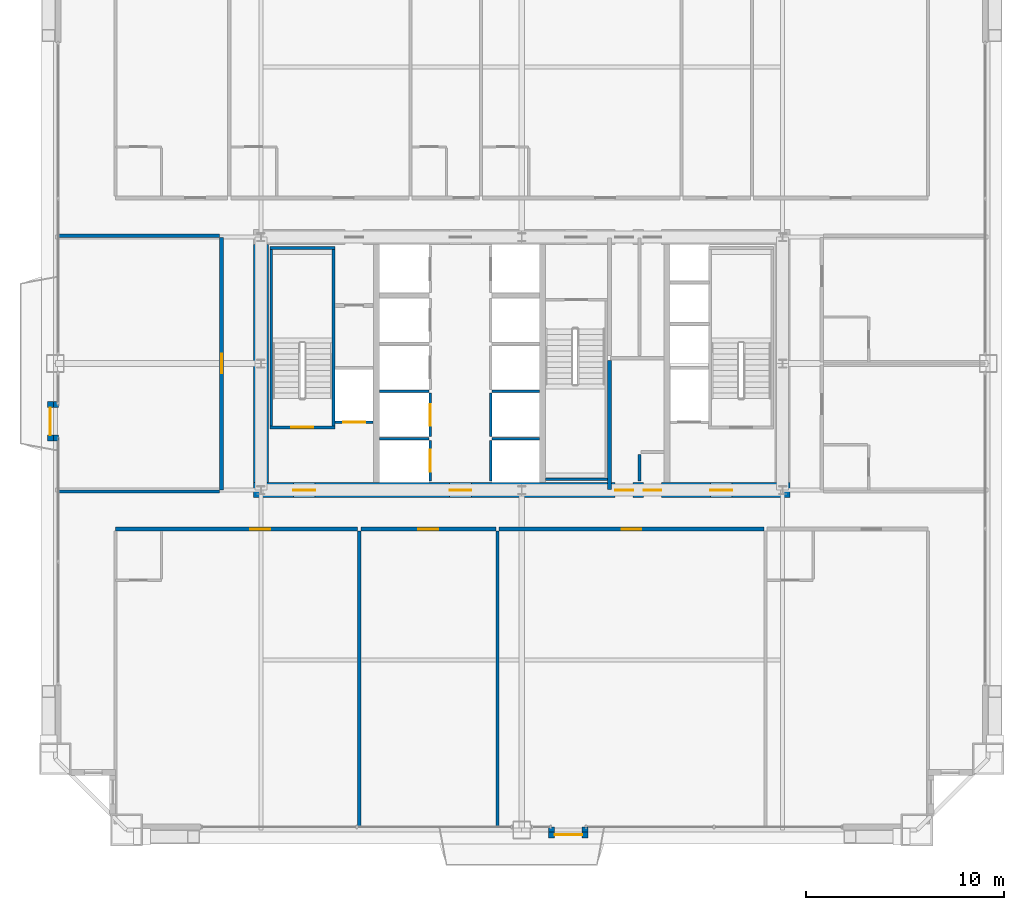
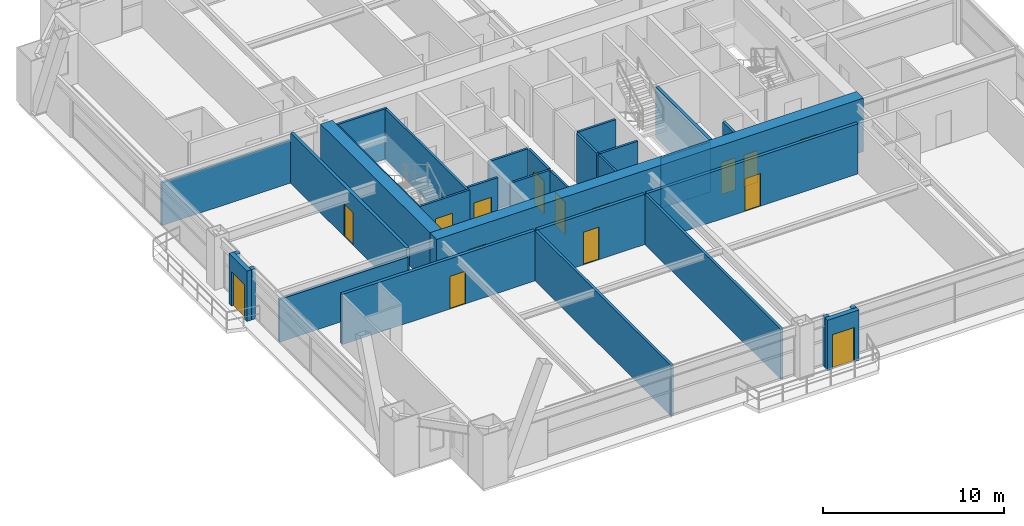
# One storey, part 37 of 41: 32 walls, 15 doors, 15 openings.
"""IFC4 building model written with IfcOpenShell, lengths in metres."""

from ifc_helpers import new_model, si_unit, direction, frame, frame_2d, origin, place, context, subcontext, project, spatial, rectangle, extrude, source, transform, mapped, material, layer, layer_set, type_object, element, fill, save


model = new_model("IFC4")

# Units and contexts
model_context = context("Model", 3, precision=1e-05, world=origin(), true_north=direction((0.0, 1.0)))
body_context = subcontext(model_context, "Body", "Model", "MODEL_VIEW")
ifc_project = project(units=[si_unit("LENGTHUNIT", "METRE"), si_unit("AREAUNIT", "SQUARE_METRE"), si_unit("VOLUMEUNIT", "CUBIC_METRE"), si_unit("PLANEANGLEUNIT", "RADIAN"), si_unit("MASSUNIT", "GRAM", prefix="KILO"), si_unit("THERMODYNAMICTEMPERATUREUNIT", "KELVIN"), si_unit("POWERUNIT", "WATT")], contexts=[model_context])

# Site, building, storey
site_placement = place(None, origin())
site = spatial("IfcSite", under=ifc_project, at=site_placement, CompositionType="ELEMENT")
building_placement = place(site_placement, origin())
building = spatial("IfcBuilding", under=site, at=building_placement, Name="Yuzanri Waterfront Tower", CompositionType="ELEMENT")
storey_placement = place(building_placement, frame((0.0, 0.0, 115.39990234375)))
storey = spatial("IfcBuildingStorey", under=building, at=storey_placement, Name="L30", CompositionType="ELEMENT", Elevation=115.39990234375)

# Wall, opening, door
ifc_material_1 = material(Name="Honed Chongqing Dark Basalt Stone", Category="masonry")
ifc_layer_1 = layer(ifc_material_1, 0.300048828125)
ifc_layer_set_1 = layer_set([ifc_layer_1], Name="Honed Chongqing Dark Basalt Stone")
wall_type_1 = type_object("IfcWallType", Name="Bronze Rainscreen Insulated Spandrel Portal Wall 300", PredefinedType="SOLIDWALL", material=ifc_layer_set_1)
wall_1_placement = place(storey_placement, frame((38.35791015625, 1.949951171875, 0.0), z_axis=(0.0, 0.0, 1.0), x_axis=(1.0, 0.0, 0.0)))
wall_1 = element("IfcWall", 1, at=wall_1_placement, inside=storey, type_object=wall_type_1, Name="L30 S Terrace Door Portal Wall", PredefinedType="SOLIDWALL", context=body_context, shape_type="SweptSolid", body=[
    extrude(rectangle(XDim=2.0, YDim=0.300048828125, at=frame_2d((1.0, 0.0))), origin(), (0.0, 0.0, 1.0), 3.380126953125),
])
opening_1_placement = place(wall_1_placement, frame((0.300048828125, 0.0, 0.0)))
opening_1 = element("IfcOpeningElement", 2, at=opening_1_placement, cuts=wall_1, Name="Opening TD-1400", PredefinedType="OPENING", context=body_context, shape_type="SweptSolid", body=[
    extrude(rectangle(XDim=1.39990234375, YDim=2.300048828125, at=frame_2d((0.699951171875, 1.14990234375))), frame((0.0, 0.1650390625, 0.0), z_axis=(0.0, -1.0, 0.0), x_axis=(1.0, 0.0, 0.0)), (0.0, 0.0, 1.0), 0.329833984375),
])
ifc_material_2 = material(Name="Anodized Architectural Bronze", Category="metal")
door_type_1 = type_object("IfcDoorType", Name="Anodized Bronze Balcony and Terrace Glazed Double Door 1400x2300", OperationType="NOTDEFINED", PredefinedType="DOOR", material=ifc_material_2)
shared_shape_1 = source(origin(), body_context, "Body", "SweptSolid", [
    extrude(rectangle(XDim=1.39990234375, YDim=2.300048828125, at=frame_2d((0.699951171875, 1.14990234375))), frame((0.0, 0.02490234375, 0.0), z_axis=(0.0, -1.0, 0.0), x_axis=(1.0, 0.0, 0.0)), (0.0, 0.0, 1.0), 0.050048828125),
])
door_1_placement = place(opening_1_placement, origin())
door_1 = element("IfcDoor", 3, at=door_1_placement, inside=storey, type_object=door_type_1, Name="L30 S Terrace Glazed Double Door", OperationType="DOUBLE_DOOR_SINGLE_SWING", OverallHeight=2.300048828125, OverallWidth=1.39990234375, PredefinedType="DOOR", context=body_context, shape_type="MappedRepresentation", body=[
    mapped(shared_shape_1, transform((0.0, 0.0, 0.0), scale=1.0)),
])
fill(opening_1, door_1)

wall_2_placement = place(storey_placement, frame((13.14990234375, 21.875, 0.0), z_axis=(0.0, 0.0, 1.0), x_axis=(0.0, 1.0, 0.0)))
wall_2 = element("IfcWall", 4, at=wall_2_placement, inside=storey, type_object=wall_type_1, Name="L30 W Terrace Door Portal Wall", PredefinedType="SOLIDWALL", context=body_context, shape_type="SweptSolid", body=[
    extrude(rectangle(XDim=2.0, YDim=0.300048828125, at=frame_2d((1.0, 0.0))), origin(), (0.0, 0.0, 1.0), 3.380126953125),
])
opening_2_placement = place(wall_2_placement, frame((0.300048828125, 0.0, 0.0)))
opening_2 = element("IfcOpeningElement", 5, at=opening_2_placement, cuts=wall_2, Name="Opening TD-1400", PredefinedType="OPENING", context=body_context, shape_type="SweptSolid", body=[
    extrude(rectangle(XDim=1.39990234375, YDim=2.300048828125, at=frame_2d((0.699951171875, 1.14990234375))), frame((0.0, 0.1650390625, 0.0), z_axis=(0.0, -1.0, 0.0), x_axis=(1.0, 0.0, 0.0)), (0.0, 0.0, 1.0), 0.329833984375),
])
door_2_placement = place(opening_2_placement, origin())
door_2 = element("IfcDoor", 6, at=door_2_placement, inside=storey, type_object=door_type_1, Name="L30 W Terrace Glazed Double Door", OperationType="DOUBLE_DOOR_SINGLE_SWING", OverallHeight=2.300048828125, OverallWidth=1.39990234375, PredefinedType="DOOR", context=body_context, shape_type="MappedRepresentation", body=[
    mapped(shared_shape_1, transform((0.0, 0.0, 0.0), scale=1.0)),
])
fill(opening_2, door_2)

# Wall, openings, doors
ifc_material_3 = material(Name="Concrete C55", Category="concrete")
ifc_layer_2 = layer(ifc_material_3, 0.75)
ifc_layer_set_2 = layer_set([ifc_layer_2], Name="Concrete C55")
wall_type_2 = type_object("IfcWallType", Name="Concrete C55 Low-Mid Zone Core Shear Wall 750", PredefinedType="SHEAR", material=ifc_layer_set_2)
wall_3_placement = place(storey_placement, frame((23.425048828125, 19.39990234375, 0.0), z_axis=(0.0, 0.0, 1.0), x_axis=(1.0, 0.0, 0.0)))
wall_3 = element("IfcWall", 7, at=wall_3_placement, inside=storey, type_object=wall_type_2, Name="L30 Core South Shear Wall", PredefinedType="SHEAR", context=body_context, shape_type="SweptSolid", body=[
    extrude(rectangle(XDim=27.14990234375, YDim=0.75, at=frame_2d((13.574951171875, 0.0))), origin(), (0.0, 0.0, 1.0), 3.60009765625),
])
opening_3_placement = place(wall_3_placement, frame((2.02490234375, 0.0, 0.0)))
opening_3 = element("IfcOpeningElement", 8, at=opening_3_placement, cuts=wall_3, Name="Opening FD-1100", PredefinedType="OPENING", context=body_context, shape_type="SweptSolid", body=[
    extrude(rectangle(XDim=1.10009765625, YDim=2.199951171875, at=frame_2d((0.550048828125, 1.10009765625))), frame((0.0, 0.389892578125, 0.0), z_axis=(0.0, -1.0, 0.0), x_axis=(1.0, 0.0, 0.0)), (0.0, 0.0, 1.0), 0.77978515625),
])
opening_4_placement = place(wall_3_placement, frame((9.925048828125, 0.0, 0.0)))
opening_4 = element("IfcOpeningElement", 9, at=opening_4_placement, cuts=wall_3, Name="Opening FD-1100", PredefinedType="OPENING", context=body_context, shape_type="SweptSolid", body=[
    extrude(rectangle(XDim=1.10009765625, YDim=2.199951171875, at=frame_2d((0.550048828125, 1.10009765625))), frame((0.0, 0.389892578125, 0.0), z_axis=(0.0, -1.0, 0.0), x_axis=(1.0, 0.0, 0.0)), (0.0, 0.0, 1.0), 0.77978515625),
])
opening_5_placement = place(wall_3_placement, frame((23.125, 0.0, 0.0)))
opening_5 = element("IfcOpeningElement", 10, at=opening_5_placement, cuts=wall_3, Name="Opening FD-1100", PredefinedType="OPENING", context=body_context, shape_type="SweptSolid", body=[
    extrude(rectangle(XDim=1.10009765625, YDim=2.199951171875, at=frame_2d((0.550048828125, 1.10009765625))), frame((0.0, 0.389892578125, 0.0), z_axis=(0.0, -1.0, 0.0), x_axis=(1.0, 0.0, 0.0)), (0.0, 0.0, 1.0), 0.77978515625),
])
opening_6_placement = place(wall_3_placement, frame((19.7451171875, 0.0, 0.0)))
opening_6 = element("IfcOpeningElement", 11, at=opening_6_placement, cuts=wall_3, Name="Opening FD-0900", PredefinedType="OPENING", context=body_context, shape_type="SweptSolid", body=[
    extrude(rectangle(XDim=0.89990234375, YDim=2.14990234375, at=frame_2d((0.449951171875, 1.074951171875))), frame((0.0, 0.389892578125, 0.0), z_axis=(0.0, -1.0, 0.0), x_axis=(1.0, 0.0, 0.0)), (0.0, 0.0, 1.0), 0.77978515625),
])
opening_7_placement = place(wall_3_placement, frame((18.304931640625, 0.0, 0.0)))
opening_7 = element("IfcOpeningElement", 12, at=opening_7_placement, cuts=wall_3, Name="Opening FD-0900", PredefinedType="OPENING", context=body_context, shape_type="SweptSolid", body=[
    extrude(rectangle(XDim=0.89990234375, YDim=2.14990234375, at=frame_2d((0.449951171875, 1.074951171875))), frame((0.0, 0.389892578125, 0.0), z_axis=(0.0, -1.0, 0.0), x_axis=(1.0, 0.0, 0.0)), (0.0, 0.0, 1.0), 0.77978515625),
])
ifc_material_4 = material(Name="Painted Galvanized Fire Steel", Category="steel")
door_type_2 = type_object("IfcDoorType", Name="Smoke-Proof Stair and Lobby Fire Door 1100x2200", OperationType="NOTDEFINED", PredefinedType="DOOR", material=ifc_material_4)
shared_shape_2 = source(origin(), body_context, "Body", "SweptSolid", [
    extrude(rectangle(XDim=1.10009765625, YDim=2.199951171875, at=frame_2d((0.550048828125, 1.10009765625))), frame((0.0, 0.02490234375, 0.0), z_axis=(0.0, -1.0, 0.0), x_axis=(1.0, 0.0, 0.0)), (0.0, 0.0, 1.0), 0.050048828125),
])
door_3_placement = place(opening_3_placement, origin())
door_3 = element("IfcDoor", 13, at=door_3_placement, inside=storey, type_object=door_type_2, Name="L30 West Firefighting Lobby Door", OperationType="SINGLE_SWING_RIGHT", OverallHeight=2.199951171875, OverallWidth=1.10009765625, PredefinedType="DOOR", context=body_context, shape_type="MappedRepresentation", body=[
    mapped(shared_shape_2, transform((0.0, 0.0, 0.0), scale=1.0)),
])
fill(opening_3, door_3)
door_4_placement = place(opening_4_placement, origin())
door_4 = element("IfcDoor", 14, at=door_4_placement, inside=storey, type_object=door_type_2, Name="L30 Central Lift Lobby South Door", OperationType="SINGLE_SWING_LEFT", OverallHeight=2.199951171875, OverallWidth=1.10009765625, PredefinedType="DOOR", context=body_context, shape_type="MappedRepresentation", body=[
    mapped(shared_shape_2, transform((0.0, 0.0, 0.0), scale=1.0)),
])
fill(opening_4, door_4)
door_5_placement = place(opening_5_placement, origin())
door_5 = element("IfcDoor", 15, at=door_5_placement, inside=storey, type_object=door_type_2, Name="L30 East Firefighting Lobby Door", OperationType="SINGLE_SWING_RIGHT", OverallHeight=2.199951171875, OverallWidth=1.10009765625, PredefinedType="DOOR", context=body_context, shape_type="MappedRepresentation", body=[
    mapped(shared_shape_2, transform((0.0, 0.0, 0.0), scale=1.0)),
])
fill(opening_5, door_5)
ifc_material_5 = material(Name="Painted Galvanized Fire Steel", Category="steel")
door_type_3 = type_object("IfcDoorType", Name="Riser and Service Room Fire Door 900x2150", OperationType="NOTDEFINED", PredefinedType="DOOR", material=ifc_material_5)
shared_shape_3 = source(origin(), body_context, "Body", "SweptSolid", [
    extrude(rectangle(XDim=0.89990234375, YDim=2.14990234375, at=frame_2d((0.449951171875, 1.074951171875))), frame((0.0, 0.02490234375, 0.0), z_axis=(0.0, -1.0, 0.0), x_axis=(1.0, 0.0, 0.0)), (0.0, 0.0, 1.0), 0.050048828125),
])
door_6_placement = place(opening_6_placement, origin())
door_6 = element("IfcDoor", 16, at=door_6_placement, inside=storey, type_object=door_type_3, Name="L30 East Wet Riser Door", OperationType="SINGLE_SWING_LEFT", OverallHeight=2.14990234375, OverallWidth=0.89990234375, PredefinedType="DOOR", context=body_context, shape_type="MappedRepresentation", body=[
    mapped(shared_shape_3, transform((0.0, 0.0, 0.0), scale=1.0)),
])
fill(opening_6, door_6)
door_7_placement = place(opening_7_placement, origin())
door_7 = element("IfcDoor", 17, at=door_7_placement, inside=storey, type_object=door_type_3, Name="L30 Housekeeping Room", OperationType="SINGLE_SWING_RIGHT", OverallHeight=2.14990234375, OverallWidth=0.89990234375, PredefinedType="DOOR", context=body_context, shape_type="MappedRepresentation", body=[
    mapped(shared_shape_3, transform((0.0, 0.0, 0.0), scale=1.0)),
])
fill(opening_7, door_7)

# Wall, opening, door
ifc_material_6 = material(Name="Concrete C40", Category="concrete")
ifc_layer_3 = layer(ifc_material_6, 0.139892578125)
ifc_layer_set_3 = layer_set([ifc_layer_3], Name="Concrete C40")
wall_type_3 = type_object("IfcWallType", Name="Core Stair Liner and Hoistway Shaft Wall 140", PredefinedType="SOLIDWALL", material=ifc_layer_set_3)
wall_4_placement = place(storey_placement, frame((27.56005859375, 22.830078125, 0.0), z_axis=(0.0, 0.0, 1.0), x_axis=(1.0, 0.0, 0.0)))
wall_4 = element("IfcWall", 18, at=wall_4_placement, inside=storey, type_object=wall_type_3, Name="L30 Lift FL-01 Front Shaft Wall", PredefinedType="SOLIDWALL", context=body_context, shape_type="SweptSolid", body=[
    extrude(rectangle(XDim=1.919921875, YDim=0.139892578125, at=frame_2d((0.9599609375, 0.0))), origin(), (0.0, 0.0, 1.0), 3.380126953125),
])
opening_8_placement = place(wall_4_placement, frame((0.409912109375, 0.0, 0.0)))
opening_8 = element("IfcOpeningElement", 19, at=opening_8_placement, cuts=wall_4, Name="Opening LD-FL-01", PredefinedType="OPENING", context=body_context, shape_type="SweptSolid", body=[
    extrude(rectangle(XDim=1.10009765625, YDim=2.199951171875, at=frame_2d((0.550048828125, 1.10009765625))), frame((0.0, 0.0849609375, 0.0), z_axis=(0.0, -1.0, 0.0), x_axis=(1.0, 0.0, 0.0)), (0.0, 0.0, 1.0), 0.169677734375),
])
ifc_material_7 = material(Name="Brushed Bronze and Stainless Steel Cab", Category="steel")
door_type_4 = type_object("IfcDoorType", Name="Center-Parting Bronze Lift Landing Sliding Door 1100x2200", OperationType="NOTDEFINED", PredefinedType="DOOR", material=ifc_material_7)
shared_shape_4 = source(origin(), body_context, "Body", "SweptSolid", [
    extrude(rectangle(XDim=1.10009765625, YDim=2.199951171875, at=frame_2d((0.550048828125, 1.10009765625))), frame((0.0, 0.02490234375, 0.0), z_axis=(0.0, -1.0, 0.0), x_axis=(1.0, 0.0, 0.0)), (0.0, 0.0, 1.0), 0.050048828125),
])
door_8_placement = place(opening_8_placement, origin())
door_8 = element("IfcDoor", 20, at=door_8_placement, inside=storey, type_object=door_type_4, Name="L30 FL-01 Lift Landing Sliding Door", OperationType="SLIDING_TO_LEFT", OverallHeight=2.199951171875, OverallWidth=1.10009765625, PredefinedType="DOOR", context=body_context, shape_type="MappedRepresentation", body=[
    mapped(shared_shape_4, transform((0.0, 0.0, 0.0), scale=1.0)),
])
fill(opening_8, door_8)

wall_5_placement = place(storey_placement, frame((32.3701171875, 19.860107421875, 0.0), z_axis=(0.0, 0.0, 1.0), x_axis=(0.0, 1.0, 0.0)))
wall_5 = element("IfcWall", 21, at=wall_5_placement, inside=storey, type_object=wall_type_3, Name="L30 Lift PL-01 Front Shaft Wall", PredefinedType="SOLIDWALL", context=body_context, shape_type="SweptSolid", body=[
    extrude(rectangle(XDim=2.039794921875, YDim=0.139892578125, at=frame_2d((1.02001953125, 0.0))), origin(), (0.0, 0.0, 1.0), 3.380126953125),
])
opening_9_placement = place(wall_5_placement, frame((0.469970703125, 0.0, 0.0)))
opening_9 = element("IfcOpeningElement", 22, at=opening_9_placement, cuts=wall_5, Name="Opening LD-PL-01", PredefinedType="OPENING", context=body_context, shape_type="SweptSolid", body=[
    extrude(rectangle(XDim=1.10009765625, YDim=2.199951171875, at=frame_2d((0.550048828125, 1.10009765625))), frame((0.0, 0.0849609375, 0.0), z_axis=(0.0, -1.0, 0.0), x_axis=(1.0, 0.0, 0.0)), (0.0, 0.0, 1.0), 0.169677734375),
])
door_9_placement = place(opening_9_placement, origin())
door_9 = element("IfcDoor", 23, at=door_9_placement, inside=storey, type_object=door_type_4, Name="L30 PL-01 Lift Landing Sliding Door", OperationType="SLIDING_TO_LEFT", OverallHeight=2.199951171875, OverallWidth=1.10009765625, PredefinedType="DOOR", context=body_context, shape_type="MappedRepresentation", body=[
    mapped(shared_shape_4, transform((0.0, 0.0, 0.0), scale=1.0)),
])
fill(opening_9, door_9)

wall_6_placement = place(storey_placement, frame((32.3701171875, 22.10009765625, 0.0), z_axis=(0.0, 0.0, 1.0), x_axis=(0.0, 1.0, 0.0)))
wall_6 = element("IfcWall", 24, at=wall_6_placement, inside=storey, type_object=wall_type_3, Name="L30 Lift PL-02 Front Shaft Wall", PredefinedType="SOLIDWALL", context=body_context, shape_type="SweptSolid", body=[
    extrude(rectangle(XDim=2.199951171875, YDim=0.139892578125, at=frame_2d((1.10009765625, 0.0))), origin(), (0.0, 0.0, 1.0), 3.380126953125),
])
opening_10_placement = place(wall_6_placement, frame((0.550048828125, 0.0, 0.0)))
opening_10 = element("IfcOpeningElement", 25, at=opening_10_placement, cuts=wall_6, Name="Opening LD-PL-02", PredefinedType="OPENING", context=body_context, shape_type="SweptSolid", body=[
    extrude(rectangle(XDim=1.10009765625, YDim=2.199951171875, at=frame_2d((0.550048828125, 1.10009765625))), frame((0.0, 0.0849609375, 0.0), z_axis=(0.0, -1.0, 0.0), x_axis=(1.0, 0.0, 0.0)), (0.0, 0.0, 1.0), 0.169677734375),
])
door_10_placement = place(opening_10_placement, origin())
door_10 = element("IfcDoor", 26, at=door_10_placement, inside=storey, type_object=door_type_4, Name="L30 PL-02 Lift Landing Sliding Door", OperationType="SLIDING_TO_RIGHT", OverallHeight=2.199951171875, OverallWidth=1.10009765625, PredefinedType="DOOR", context=body_context, shape_type="MappedRepresentation", body=[
    mapped(shared_shape_4, transform((0.0, 0.0, 0.0), scale=1.0)),
])
fill(opening_10, door_10)

wall_7_placement = place(storey_placement, frame((24.260009765625, 22.570068359375, 0.0), z_axis=(0.0, 0.0, 1.0), x_axis=(1.0, 0.0, 0.0)))
wall_7 = element("IfcWall", 27, at=wall_7_placement, inside=storey, type_object=wall_type_3, Name="L30 Shaft Wall STW-L30-ST-01-S", PredefinedType="SOLIDWALL", context=body_context, shape_type="SweptSolid", body=[
    extrude(rectangle(XDim=3.280029296875, YDim=0.139892578125, at=frame_2d((1.64013671875, 0.0))), origin(), (0.0, 0.0, 1.0), 3.380126953125),
])
opening_11_placement = place(wall_7_placement, frame((1.090087890625, 0.0, 0.0)))
opening_11 = element("IfcOpeningElement", 28, at=opening_11_placement, cuts=wall_7, Name="Opening FD-1100", PredefinedType="OPENING", context=body_context, shape_type="SweptSolid", body=[
    extrude(rectangle(XDim=1.10009765625, YDim=2.199951171875, at=frame_2d((0.550048828125, 1.10009765625))), frame((0.0, 0.0849609375, 0.0), z_axis=(0.0, -1.0, 0.0), x_axis=(1.0, 0.0, 0.0)), (0.0, 0.0, 1.0), 0.169677734375),
])
door_11_placement = place(opening_11_placement, origin())
door_11 = element("IfcDoor", 29, at=door_11_placement, inside=storey, type_object=door_type_2, Name="L30 Stair ST-01 Fire Door", OperationType="SINGLE_SWING_LEFT", OverallHeight=2.199951171875, OverallWidth=1.10009765625, PredefinedType="DOOR", context=body_context, shape_type="MappedRepresentation", body=[
    mapped(shared_shape_2, transform((0.0, 0.0, 0.0), scale=1.0)),
])
fill(opening_11, door_11)

ifc_material_8 = material(Name="Autoclaved Aerated Concrete Blockwork", Category="masonry")
ifc_layer_4 = layer(ifc_material_8, 0.199951171875)
ifc_layer_set_4 = layer_set([ifc_layer_4], Name="Autoclaved Aerated Concrete Blockwork")
wall_type_4 = type_object("IfcWallType", Name="Corridor and Unit Party Fire Wall 200", PredefinedType="PARTITIONING", material=ifc_layer_set_4)
wall_8_placement = place(storey_placement, frame((16.43994140625, 17.419921875, 0.0), z_axis=(0.0, 0.0, 1.0), x_axis=(1.0, 0.0, 0.0)))
wall_8 = element("IfcWall", 30, at=wall_8_placement, inside=storey, type_object=wall_type_4, Name="L30 Partition UW-L30-S1-CN", PredefinedType="PARTITIONING", context=body_context, shape_type="SweptSolid", body=[
    extrude(rectangle(XDim=12.256103515625, YDim=0.199951171875, at=frame_2d((6.1279296875, 0.0))), origin(), (0.0, 0.0, 1.0), 3.380126953125),
])
opening_12_placement = place(wall_8_placement, frame((6.8330078125, 0.0, 0.0)))
opening_12 = element("IfcOpeningElement", 31, at=opening_12_placement, cuts=wall_8, Name="Opening FD-1000", PredefinedType="OPENING", context=body_context, shape_type="SweptSolid", body=[
    extrude(rectangle(XDim=1.0, YDim=2.199951171875, at=frame_2d((0.5, 1.10009765625))), frame((0.0, 0.11474609375, 0.0), z_axis=(0.0, -1.0, 0.0), x_axis=(1.0, 0.0, 0.0)), (0.0, 0.0, 1.0), 0.229736328125),
])
ifc_material_9 = material(Name="Engineered Oak Fire-Rated Timber", Category="wood")
door_type_5 = type_object("IfcDoorType", Name="Guestroom and Apartment Entrance Fire Door 1000x2200", OperationType="NOTDEFINED", PredefinedType="DOOR", material=ifc_material_9)
shared_shape_5 = source(origin(), body_context, "Body", "SweptSolid", [
    extrude(rectangle(XDim=1.0, YDim=2.199951171875, at=frame_2d((0.5, 1.10009765625))), frame((0.0, 0.02490234375, 0.0), z_axis=(0.0, -1.0, 0.0), x_axis=(1.0, 0.0, 0.0)), (0.0, 0.0, 1.0), 0.050048828125),
])
door_12_placement = place(opening_12_placement, origin())
door_12 = element("IfcDoor", 32, at=door_12_placement, inside=storey, type_object=door_type_5, Name="L30 Grand Riverview Suite Entrance Door", OperationType="SINGLE_SWING_LEFT", OverallHeight=2.199951171875, OverallWidth=1.0, PredefinedType="DOOR", context=body_context, shape_type="MappedRepresentation", body=[
    mapped(shared_shape_5, transform((0.0, 0.0, 0.0), scale=1.0)),
])
fill(opening_12, door_12)

wall_9_placement = place(storey_placement, frame((28.85595703125, 17.419921875, 0.0), z_axis=(0.0, 0.0, 1.0), x_axis=(1.0, 0.0, 0.0)))
wall_9 = element("IfcWall", 33, at=wall_9_placement, inside=storey, type_object=wall_type_4, Name="L30 Partition UW-L30-S2-CN", PredefinedType="PARTITIONING", context=body_context, shape_type="SweptSolid", body=[
    extrude(rectangle(XDim=6.830078125, YDim=0.199951171875, at=frame_2d((3.4150390625, 0.0))), origin(), (0.0, 0.0, 1.0), 3.380126953125),
])
opening_13_placement = place(wall_9_placement, frame((2.9150390625, 0.0, 0.0)))
opening_13 = element("IfcOpeningElement", 34, at=opening_13_placement, cuts=wall_9, Name="Opening FD-1000", PredefinedType="OPENING", context=body_context, shape_type="SweptSolid", body=[
    extrude(rectangle(XDim=1.0, YDim=2.199951171875, at=frame_2d((0.5, 1.10009765625))), frame((0.0, 0.11474609375, 0.0), z_axis=(0.0, -1.0, 0.0), x_axis=(1.0, 0.0, 0.0)), (0.0, 0.0, 1.0), 0.229736328125),
])
door_13_placement = place(opening_13_placement, origin())
door_13 = element("IfcDoor", 35, at=door_13_placement, inside=storey, type_object=door_type_5, Name="L30 Boardroom A Entrance Door", OperationType="SINGLE_SWING_LEFT", OverallHeight=2.199951171875, OverallWidth=1.0, PredefinedType="DOOR", context=body_context, shape_type="MappedRepresentation", body=[
    mapped(shared_shape_5, transform((0.0, 0.0, 0.0), scale=1.0)),
])
fill(opening_13, door_13)

wall_10_placement = place(storey_placement, frame((35.845947265625, 17.419921875, 0.0), z_axis=(0.0, 0.0, 1.0), x_axis=(1.0, 0.0, 0.0)))
wall_10 = element("IfcWall", 36, at=wall_10_placement, inside=storey, type_object=wall_type_4, Name="L30 Partition UW-L30-S3-CN", PredefinedType="PARTITIONING", context=body_context, shape_type="SweptSolid", body=[
    extrude(rectangle(XDim=13.41015625, YDim=0.199951171875, at=frame_2d((6.705078125, 0.0))), origin(), (0.0, 0.0, 1.0), 3.380126953125),
])
opening_14_placement = place(wall_10_placement, frame((6.205078125, 0.0, 0.0)))
opening_14 = element("IfcOpeningElement", 37, at=opening_14_placement, cuts=wall_10, Name="Opening FD-1000", PredefinedType="OPENING", context=body_context, shape_type="SweptSolid", body=[
    extrude(rectangle(XDim=1.0, YDim=2.199951171875, at=frame_2d((0.5, 1.10009765625))), frame((0.0, 0.11474609375, 0.0), z_axis=(0.0, -1.0, 0.0), x_axis=(1.0, 0.0, 0.0)), (0.0, 0.0, 1.0), 0.229736328125),
])
door_14_placement = place(opening_14_placement, origin())
door_14 = element("IfcDoor", 38, at=door_14_placement, inside=storey, type_object=door_type_5, Name="L30 Boardroom B Entrance Door", OperationType="SINGLE_SWING_RIGHT", OverallHeight=2.199951171875, OverallWidth=1.0, PredefinedType="DOOR", context=body_context, shape_type="MappedRepresentation", body=[
    mapped(shared_shape_5, transform((0.0, 0.0, 0.0), scale=1.0)),
])
fill(opening_14, door_14)

wall_11_placement = place(storey_placement, frame((21.820068359375, 19.409912109375, 0.0), z_axis=(0.0, 0.0, 1.0), x_axis=(0.0, 1.0, 0.0)))
wall_11 = element("IfcWall", 39, at=wall_11_placement, inside=storey, type_object=wall_type_4, Name="L30 Partition UW-L30-W1-CW", PredefinedType="PARTITIONING", context=body_context, shape_type="SweptSolid", body=[
    extrude(rectangle(XDim=12.780029296875, YDim=0.199951171875, at=frame_2d((6.39013671875, 0.0))), origin(), (0.0, 0.0, 1.0), 3.380126953125),
])
opening_15_placement = place(wall_11_placement, frame((5.889892578125, 0.0, 0.0)))
opening_15 = element("IfcOpeningElement", 40, at=opening_15_placement, cuts=wall_11, Name="Opening FD-1000", PredefinedType="OPENING", context=body_context, shape_type="SweptSolid", body=[
    extrude(rectangle(XDim=1.0, YDim=2.199951171875, at=frame_2d((0.5, 1.10009765625))), frame((0.0, 0.11474609375, 0.0), z_axis=(0.0, -1.0, 0.0), x_axis=(1.0, 0.0, 0.0)), (0.0, 0.0, 1.0), 0.229736328125),
])
door_15_placement = place(opening_15_placement, origin())
door_15 = element("IfcDoor", 41, at=door_15_placement, inside=storey, type_object=door_type_5, Name="L30 West Conference Hall Entrance Door", OperationType="SINGLE_SWING_LEFT", OverallHeight=2.199951171875, OverallWidth=1.0, PredefinedType="DOOR", context=body_context, shape_type="MappedRepresentation", body=[
    mapped(shared_shape_5, transform((0.0, 0.0, 0.0), scale=1.0)),
])
fill(opening_15, door_15)

# Walls
shared_shape_6 = source(origin(), body_context, "Body", "SweptSolid", [
    extrude(rectangle(XDim=12.050048828125, YDim=0.75, at=frame_2d((6.02490234375, 0.0))), origin(), (0.0, 0.0, 1.0), 3.60009765625),
])
wall_12_placement = place(storey_placement, frame((23.800048828125, 19.77490234375, 0.0), z_axis=(0.0, 0.0, 1.0), x_axis=(0.0, 1.0, 0.0)))
element("IfcWall", 42, at=wall_12_placement, inside=storey, type_object=wall_type_2, Name="L30 Core West Shear Wall", PredefinedType="SHEAR", context=body_context, shape_type="MappedRepresentation", body=[
    mapped(shared_shape_6, transform((0.0, 0.0, 0.0), scale=1.0)),
])
shared_shape_7 = source(origin(), body_context, "Body", "SweptSolid", [
    extrude(rectangle(XDim=0.25, YDim=0.300048828125, at=frame_2d((0.125, 0.0))), origin(), (0.0, 0.0, 1.0), 3.380126953125),
])
for number, where, z_axis, x_axis, name in (
    (43, (38.508056640625, 2.35009765625, 0.0), (0.0, 0.0, 1.0), (0.0, -1.0, 0.0), "L30 S Terrace Portal Left Return"),
    (44, (40.2080078125, 2.10009765625, 0.0), (0.0, 0.0, 1.0), (0.0, 1.0, 0.0), "L30 S Terrace Portal Right Return"),
    (45, (13.550048828125, 22.02490234375, 0.0), (0.0, 0.0, 1.0), (-1.0, 0.0, 0.0), "L30 W Terrace Portal Left Return"),
    (46, (13.300048828125, 23.72509765625, 0.0), (0.0, 0.0, 1.0), (1.0, 0.0, 0.0), "L30 W Terrace Portal Right Return"),
):
    element("IfcWall", number, at=place(storey_placement, frame(where, z_axis=z_axis, x_axis=x_axis)), inside=storey, type_object=wall_type_1, Name=name, PredefinedType="SOLIDWALL", context=body_context, shape_type="MappedRepresentation", body=[
        mapped(shared_shape_7, transform((0.0, 0.0, 0.0), scale=1.0)),
    ])
shared_shape_8 = source(origin(), body_context, "Body", "SweptSolid", [
    extrude(rectangle(XDim=2.5, YDim=0.139892578125, at=frame_2d((1.25, 0.0))), origin(), (0.0, 0.0, 1.0), 3.380126953125),
])
for number, where, z_axis, x_axis, name in (
    (47, (29.800048828125, 22.0, 0.0), (0.0, 0.0, 1.0), (1.0, 0.0, 0.0), "L30 Lift PL-01 Divider Wall"),
    (48, (29.800048828125, 24.39990234375, 0.0), (0.0, 0.0, 1.0), (1.0, 0.0, 0.0), "L30 Lift PL-02 Divider Wall"),
):
    element("IfcWall", number, at=place(storey_placement, frame(where, z_axis=z_axis, x_axis=x_axis)), inside=storey, type_object=wall_type_3, Name=name, PredefinedType="SOLIDWALL", context=body_context, shape_type="MappedRepresentation", body=[
        mapped(shared_shape_8, transform((0.0, 0.0, 0.0), scale=1.0)),
    ])
shared_shape_9 = source(origin(), body_context, "Body", "SweptSolid", [
    extrude(rectangle(XDim=2.039794921875, YDim=0.139892578125, at=frame_2d((1.02001953125, 0.0))), origin(), (0.0, 0.0, 1.0), 3.380126953125),
])
wall_13_placement = place(storey_placement, frame((35.429931640625, 19.860107421875, 0.0), z_axis=(0.0, 0.0, 1.0), x_axis=(0.0, 1.0, 0.0)))
element("IfcWall", 49, at=wall_13_placement, inside=storey, type_object=wall_type_3, Name="L30 Lift PL-05 Front Shaft Wall", PredefinedType="SOLIDWALL", context=body_context, shape_type="MappedRepresentation", body=[
    mapped(shared_shape_9, transform((0.0, 0.0, 0.0), scale=1.0)),
])
shared_shape_10 = source(origin(), body_context, "Body", "SweptSolid", [
    extrude(rectangle(XDim=2.39990234375, YDim=0.139892578125, at=frame_2d((1.199951171875, 0.0))), origin(), (0.0, 0.0, 1.0), 3.380126953125),
])
for number, where, z_axis, x_axis, name in (
    (50, (35.5, 22.0, 0.0), (0.0, 0.0, 1.0), (1.0, 0.0, 0.0), "L30 Lift PL-05 Divider Wall"),
    (51, (35.5, 24.39990234375, 0.0), (0.0, 0.0, 1.0), (1.0, 0.0, 0.0), "L30 Lift PL-06 Divider Wall"),
):
    element("IfcWall", number, at=place(storey_placement, frame(where, z_axis=z_axis, x_axis=x_axis)), inside=storey, type_object=wall_type_3, Name=name, PredefinedType="SOLIDWALL", context=body_context, shape_type="MappedRepresentation", body=[
        mapped(shared_shape_10, transform((0.0, 0.0, 0.0), scale=1.0)),
    ])
shared_shape_11 = source(origin(), body_context, "Body", "SweptSolid", [
    extrude(rectangle(XDim=2.199951171875, YDim=0.139892578125, at=frame_2d((1.10009765625, 0.0))), origin(), (0.0, 0.0, 1.0), 3.380126953125),
])
wall_14_placement = place(storey_placement, frame((35.429931640625, 22.10009765625, 0.0), z_axis=(0.0, 0.0, 1.0), x_axis=(0.0, 1.0, 0.0)))
element("IfcWall", 52, at=wall_14_placement, inside=storey, type_object=wall_type_3, Name="L30 Lift PL-06 Front Shaft Wall", PredefinedType="SOLIDWALL", context=body_context, shape_type="MappedRepresentation", body=[
    mapped(shared_shape_11, transform((0.0, 0.0, 0.0), scale=1.0)),
])
shared_shape_12 = source(origin(), body_context, "Body", "SweptSolid", [
    extrude(rectangle(XDim=3.280029296875, YDim=0.139892578125, at=frame_2d((1.64013671875, 0.0))), origin(), (0.0, 0.0, 1.0), 3.380126953125),
])
wall_15_placement = place(storey_placement, frame((24.260009765625, 31.64990234375, 0.0), z_axis=(0.0, 0.0, 1.0), x_axis=(1.0, 0.0, 0.0)))
element("IfcWall", 53, at=wall_15_placement, inside=storey, type_object=wall_type_3, Name="L30 Stair ST-01 North Shaft Wall", PredefinedType="SOLIDWALL", context=body_context, shape_type="MappedRepresentation", body=[
    mapped(shared_shape_12, transform((0.0, 0.0, 0.0), scale=1.0)),
])
shared_shape_13 = source(origin(), body_context, "Body", "SweptSolid", [
    extrude(rectangle(XDim=8.940185546875, YDim=0.139892578125, at=frame_2d((4.47021484375, 0.0))), origin(), (0.0, 0.0, 1.0), 3.380126953125),
])
for number, where, z_axis, x_axis, name in (
    (54, (24.330078125, 22.639892578125, 0.0), (0.0, 0.0, 1.0), (0.0, 1.0, 0.0), "L30 Stair ST-01 West Shaft Wall"),
    (55, (27.469970703125, 22.639892578125, 0.0), (0.0, 0.0, 1.0), (0.0, 1.0, 0.0), "L30 Stair ST-01 East Shaft Wall"),
):
    element("IfcWall", number, at=place(storey_placement, frame(where, z_axis=z_axis, x_axis=x_axis)), inside=storey, type_object=wall_type_3, Name=name, PredefinedType="SOLIDWALL", context=body_context, shape_type="MappedRepresentation", body=[
        mapped(shared_shape_13, transform((0.0, 0.0, 0.0), scale=1.0)),
    ])
shared_shape_14 = source(origin(), body_context, "Body", "SweptSolid", [
    extrude(rectangle(XDim=3.14013671875, YDim=0.139892578125, at=frame_2d((1.570068359375, 0.0))), origin(), (0.0, 0.0, 1.0), 3.380126953125),
])
wall_16_placement = place(storey_placement, frame((38.199951171875, 19.949951171875, 0.0), z_axis=(0.0, 0.0, 1.0), x_axis=(1.0, 0.0, 0.0)))
element("IfcWall", 56, at=wall_16_placement, inside=storey, type_object=wall_type_3, Name="L30 Stair ST-03 South Shaft Wall", PredefinedType="SOLIDWALL", context=body_context, shape_type="MappedRepresentation", body=[
    mapped(shared_shape_14, transform((0.0, 0.0, 0.0), scale=1.0)),
])
ifc_material_10 = material(Name="Gypsum Fireboard Acoustic Stud Wall", Category="gypsum")
ifc_layer_5 = layer(ifc_material_10, 0.159912109375)
ifc_layer_set_5 = layer_set([ifc_layer_5], Name="Gypsum Fireboard Acoustic Stud Wall")
wall_type_5 = type_object("IfcWallType", Name="Acoustic Suite Demising Partition 160", PredefinedType="PARTITIONING", material=ifc_layer_set_5)
shared_shape_15 = source(origin(), body_context, "Body", "SweptSolid", [
    extrude(rectangle(XDim=1.33984375, YDim=0.159912109375, at=frame_2d((0.669921875, 0.0))), origin(), (0.0, 0.0, 1.0), 3.380126953125),
])
wall_17_placement = place(storey_placement, frame((42.949951171875, 19.860107421875, 0.0), z_axis=(0.0, 0.0, 1.0), x_axis=(0.0, 1.0, 0.0)))
element("IfcWall", 57, at=wall_17_placement, inside=storey, type_object=wall_type_5, Name="L30 East Wet Riser West Wall", PredefinedType="PARTITIONING", context=body_context, shape_type="MappedRepresentation", body=[
    mapped(shared_shape_15, transform((0.0, 0.0, 0.0), scale=1.0)),
])
shared_shape_16 = source(origin(), body_context, "Body", "SweptSolid", [
    extrude(rectangle(XDim=6.510009765625, YDim=0.199951171875, at=frame_2d((3.2548828125, 0.0))), origin(), (0.0, 0.0, 1.0), 3.380126953125),
])
wall_18_placement = place(storey_placement, frame((41.449951171875, 19.43994140625, 0.0), z_axis=(0.0, 0.0, 1.0), x_axis=(0.0, 1.0, 0.0)))
element("IfcWall", 58, at=wall_18_placement, inside=storey, type_object=wall_type_4, Name="L30 Core BOH West Wall 1", PredefinedType="PARTITIONING", context=body_context, shape_type="MappedRepresentation", body=[
    mapped(shared_shape_16, transform((0.0, 0.0, 0.0), scale=1.0)),
])
shared_shape_17 = source(origin(), body_context, "Body", "SweptSolid", [
    extrude(rectangle(XDim=14.969970703125, YDim=0.159912109375, at=frame_2d((7.48486328125, 0.0))), origin(), (0.0, 0.0, 1.0), 3.380126953125),
])
for number, where, z_axis, x_axis, name in (
    (59, (28.77587890625, 2.35009765625, 0.0), (0.0, 0.0, 1.0), (0.0, 1.0, 0.0), "L30-S1 Party Wall"),
    (60, (35.76611328125, 2.35009765625, 0.0), (0.0, 0.0, 1.0), (0.0, 1.0, 0.0), "L30-S2 Party Wall"),
):
    element("IfcWall", number, at=place(storey_placement, frame(where, z_axis=z_axis, x_axis=x_axis)), inside=storey, type_object=wall_type_5, Name=name, PredefinedType="PARTITIONING", context=body_context, shape_type="MappedRepresentation", body=[
        mapped(shared_shape_17, transform((0.0, 0.0, 0.0), scale=1.0)),
    ])
shared_shape_18 = source(origin(), body_context, "Body", "SweptSolid", [
    extrude(rectangle(XDim=8.169921875, YDim=0.159912109375, at=frame_2d((4.0849609375, 0.0))), origin(), (0.0, 0.0, 1.0), 2.875),
])
for number, where, z_axis, x_axis, name in (
    (61, (13.550048828125, 19.330078125, 0.0), (0.0, 0.0, 1.0), (1.0, 0.0, 0.0), "L30-W1 Wing South End Wall"),
    (62, (13.550048828125, 32.27001953125, 0.0), (0.0, 0.0, 1.0), (1.0, 0.0, 0.0), "L30-W1 Wing North End Wall"),
):
    element("IfcWall", number, at=place(storey_placement, frame(where, z_axis=z_axis, x_axis=x_axis)), inside=storey, type_object=wall_type_5, Name=name, PredefinedType="PARTITIONING", context=body_context, shape_type="MappedRepresentation", body=[
        mapped(shared_shape_18, transform((0.0, 0.0, 0.0), scale=1.0)),
    ])

save(model, "model.ifc")
